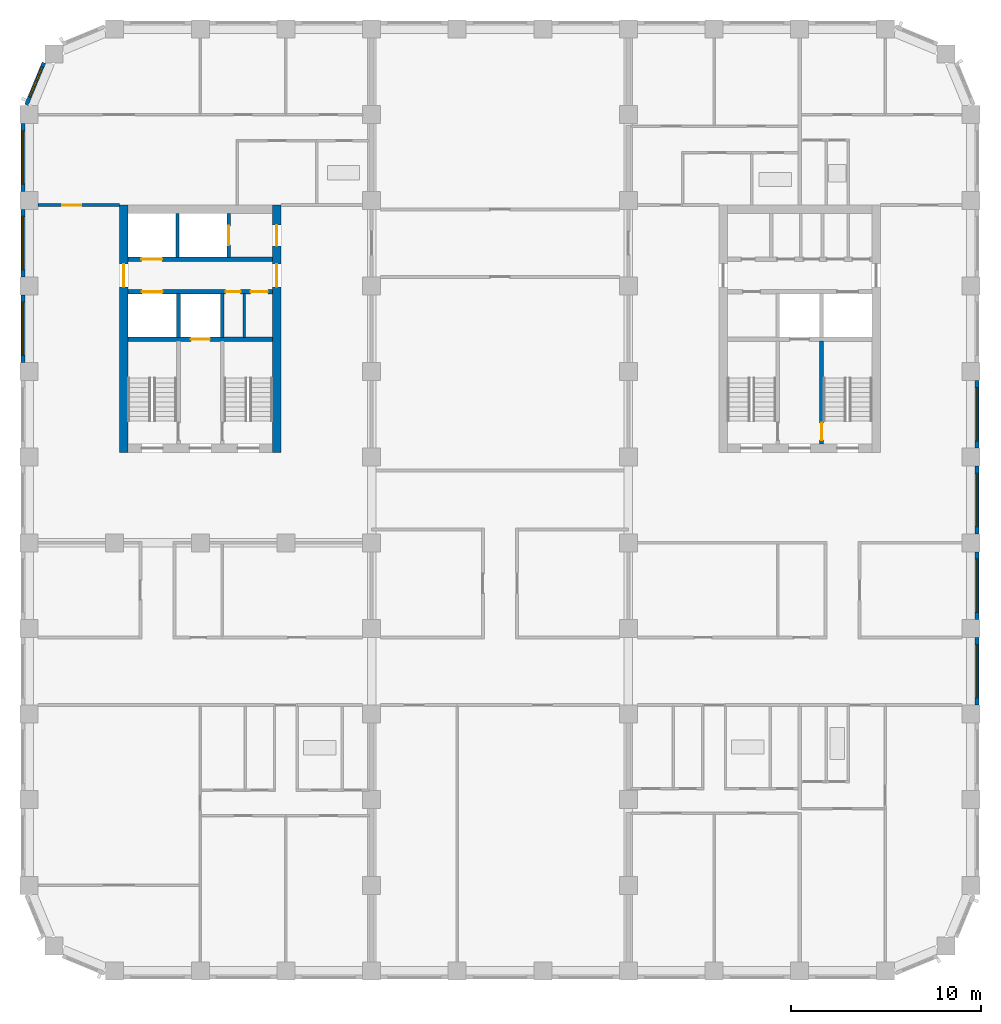
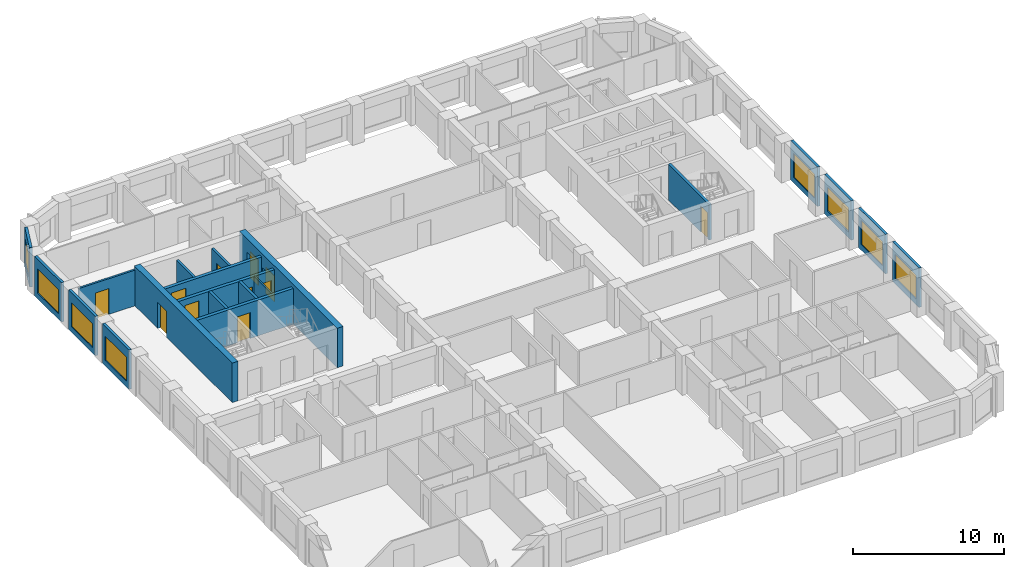
# One storey, part 6 of 12: 20 walls, 11 doors, 8 windows, 19 openings.
"""IFC4 building model written with IfcOpenShell, lengths in metres."""

from ifc_helpers import new_model, si_unit, direction, frame, frame_2d, origin, place, context, subcontext, project, spatial, rectangle, extrude, material, layer, layer_set, type_object, element, fill, save


model = new_model("IFC4")

# Units and contexts
model_context = context("Model", 3, precision=1e-05, world=origin(), true_north=direction((0.0, 1.0)))
body_context = subcontext(model_context, "Body", "Model", "MODEL_VIEW")
ifc_project = project(units=[si_unit("LENGTHUNIT", "METRE"), si_unit("AREAUNIT", "SQUARE_METRE"), si_unit("VOLUMEUNIT", "CUBIC_METRE"), si_unit("PLANEANGLEUNIT", "RADIAN"), si_unit("MASSUNIT", "GRAM", prefix="KILO")], contexts=[model_context])

# Site, building, storey
site_placement = place(None, origin())
site = spatial("IfcSite", under=ifc_project, at=site_placement, CompositionType="ELEMENT")
building_placement = place(site_placement, origin())
building = spatial("IfcBuilding", under=site, at=building_placement, Name="Girih Gate Residences", CompositionType="ELEMENT")
storey_placement = place(building_placement, frame((0.0, 0.0, 139.800048828125)))
storey = spatial("IfcBuildingStorey", under=building, at=storey_placement, Name="L39", CompositionType="ELEMENT", Elevation=139.800048828125)

# Wall, opening, door
ifc_material_1 = material(Name="Gypsum board on steel studs", Category="steel")
ifc_layer_1 = layer(ifc_material_1, 0.14990234375)
ifc_layer_set_1 = layer_set([ifc_layer_1], Name="Compartment wall 150 mm")
wall_type_1 = type_object("IfcWallType", Name="Compartment wall 150 mm", PredefinedType="PARTITIONING", material=ifc_layer_set_1)
wall_1_placement = place(storey_placement, frame((0.47509765625, 40.25, 0.0), z_axis=(0.0, 0.0, 1.0), x_axis=(1.0, 0.0, 0.0)))
wall_1 = element("IfcWall", 1, at=wall_1_placement, inside=storey, type_object=wall_type_1, Name="L39 partition", PredefinedType="PARTITIONING", context=body_context, shape_type="SweptSolid", body=[
    extrude(rectangle(XDim=4.27490234375, YDim=0.14990234375, at=frame_2d((2.137451171875, 0.0))), origin(), (0.0, 0.0, 1.0), 2.89990234375),
])
opening_1_placement = place(wall_1_placement, frame((1.27490234375, 0.0, 0.0)))
opening_1 = element("IfcOpeningElement", 2, at=opening_1_placement, cuts=wall_1, Name="Opening A39-015", PredefinedType="OPENING", context=body_context, shape_type="SweptSolid", body=[
    extrude(rectangle(XDim=1.0, YDim=2.10009765625, at=frame_2d((0.5, 1.050048828125))), frame((0.0, 0.0849609375, 0.0), z_axis=(0.0, -1.0, 0.0), x_axis=(1.0, 0.0, 0.0)), (0.0, 0.0, 1.0), 0.169921875),
])
ifc_material_2 = material(Name="Timber, fire-rated core", Category="wood")
door_type_1 = type_object("IfcDoorType", Name="Flat entrance door 1000x2100 FD30S", OperationType="NOTDEFINED", PredefinedType="DOOR", material=ifc_material_2)
door_1_placement = place(opening_1_placement, origin())
door_1 = element("IfcDoor", 3, at=door_1_placement, inside=storey, type_object=door_type_1, Name="Door A39-015", OperationType="SINGLE_SWING_LEFT", OverallHeight=2.10009765625, OverallWidth=1.0, PredefinedType="DOOR", context=body_context, shape_type="SweptSolid", body=[
    extrude(rectangle(XDim=1.0, YDim=2.10009765625, at=frame_2d((0.5, 1.050048828125))), frame((0.0, 0.02490234375, 0.0), z_axis=(0.0, -1.0, 0.0), x_axis=(1.0, 0.0, 0.0)), (0.0, 0.0, 1.0), 0.050048828125),
])
fill(opening_1, door_1)

ifc_material_3 = material(Name="Concrete C60/75", Category="concrete")
ifc_layer_2 = layer(ifc_material_3, 0.449951171875)
ifc_layer_set_2 = layer_set([ifc_layer_2], Name="Core wall RC 450 Concrete C60/75")
wall_type_2 = type_object("IfcWallType", Name="Core wall RC 450 Concrete C60/75", PredefinedType="SOLIDWALL", material=ifc_layer_set_2)
wall_2_placement = place(storey_placement, frame((4.97509765625, 27.25, 0.0), z_axis=(0.0, 0.0, 1.0), x_axis=(0.0, 1.0, 0.0)))
wall_2 = element("IfcWall", 4, at=wall_2_placement, inside=storey, type_object=wall_type_2, Name="Core wall W-W L39", PredefinedType="SOLIDWALL", context=body_context, shape_type="SweptSolid", body=[
    extrude(rectangle(XDim=13.0, YDim=0.449951171875, at=frame_2d((6.5, 0.0))), origin(), (0.0, 0.0, 1.0), 3.199951171875),
])
opening_2_placement = place(wall_2_placement, frame((8.699951171875, 0.0, 0.0)))
opening_2 = element("IfcOpeningElement", 5, at=opening_2_placement, cuts=wall_2, Name="Opening D-L39-W-013", PredefinedType="OPENING", context=body_context, shape_type="SweptSolid", body=[
    extrude(rectangle(XDim=1.199951171875, YDim=2.10009765625, at=frame_2d((0.60009765625, 1.050048828125))), frame((0.0, 0.23486328125, 0.0), z_axis=(0.0, -1.0, 0.0), x_axis=(1.0, 0.0, 0.0)), (0.0, 0.0, 1.0), 0.469970703125),
])
ifc_material_4 = material(Name="Painted steel, fire-resisting", Category="steel")
door_type_2 = type_object("IfcDoorType", Name="Fire door 1200x2100", OperationType="SINGLE_SWING_LEFT", PredefinedType="DOOR", material=ifc_material_4)
door_2_placement = place(opening_2_placement, origin())
door_2 = element("IfcDoor", 6, at=door_2_placement, inside=storey, type_object=door_type_2, Name="L39 W core door ll-w", OperationType="SINGLE_SWING_LEFT", OverallHeight=2.10009765625, OverallWidth=1.199951171875, PredefinedType="DOOR", context=body_context, shape_type="SweptSolid", body=[
    extrude(rectangle(XDim=1.199951171875, YDim=2.10009765625, at=frame_2d((0.60009765625, 1.050048828125))), frame((0.0, 0.02490234375, 0.0), z_axis=(0.0, -1.0, 0.0), x_axis=(1.0, 0.0, 0.0)), (0.0, 0.0, 1.0), 0.050048828125),
])
fill(opening_2, door_2)

# Wall, openings, doors
wall_3_placement = place(storey_placement, frame((13.02490234375, 27.25, 0.0), z_axis=(0.0, 0.0, 1.0), x_axis=(0.0, 1.0, 0.0)))
wall_3 = element("IfcWall", 7, at=wall_3_placement, inside=storey, type_object=wall_type_2, Name="Core wall W-E L39", PredefinedType="SOLIDWALL", context=body_context, shape_type="SweptSolid", body=[
    extrude(rectangle(XDim=13.0, YDim=0.449951171875, at=frame_2d((6.5, 0.0))), origin(), (0.0, 0.0, 1.0), 3.199951171875),
])
opening_3_placement = place(wall_3_placement, frame((10.85009765625, 0.0, 0.0)))
opening_3 = element("IfcOpeningElement", 8, at=opening_3_placement, cuts=wall_3, Name="Opening D-L39-W-012", PredefinedType="OPENING", context=body_context, shape_type="SweptSolid", body=[
    extrude(rectangle(XDim=1.10009765625, YDim=2.10009765625, at=frame_2d((0.550048828125, 1.050048828125))), frame((0.0, 0.23486328125, 0.0), z_axis=(0.0, -1.0, 0.0), x_axis=(1.0, 0.0, 0.0)), (0.0, 0.0, 1.0), 0.469970703125),
])
opening_4_placement = place(wall_3_placement, frame((8.699951171875, 0.0, 0.0)))
opening_4 = element("IfcOpeningElement", 9, at=opening_4_placement, cuts=wall_3, Name="Opening D-L39-W-014", PredefinedType="OPENING", context=body_context, shape_type="SweptSolid", body=[
    extrude(rectangle(XDim=1.199951171875, YDim=2.10009765625, at=frame_2d((0.60009765625, 1.050048828125))), frame((0.0, 0.23486328125, 0.0), z_axis=(0.0, -1.0, 0.0), x_axis=(1.0, 0.0, 0.0)), (0.0, 0.0, 1.0), 0.469970703125),
])
door_type_3 = type_object("IfcDoorType", Name="Fire door 1100x2100", OperationType="SINGLE_SWING_LEFT", PredefinedType="DOOR", material=ifc_material_4)
door_3_placement = place(opening_3_placement, origin())
door_3 = element("IfcDoor", 10, at=door_3_placement, inside=storey, type_object=door_type_3, Name="L39 W core door ffl2-e", OperationType="SINGLE_SWING_LEFT", OverallHeight=2.10009765625, OverallWidth=1.10009765625, PredefinedType="DOOR", context=body_context, shape_type="SweptSolid", body=[
    extrude(rectangle(XDim=1.10009765625, YDim=2.10009765625, at=frame_2d((0.550048828125, 1.050048828125))), frame((0.0, 0.02490234375, 0.0), z_axis=(0.0, -1.0, 0.0), x_axis=(1.0, 0.0, 0.0)), (0.0, 0.0, 1.0), 0.050048828125),
])
fill(opening_3, door_3)
door_4_placement = place(opening_4_placement, origin())
door_4 = element("IfcDoor", 11, at=door_4_placement, inside=storey, type_object=door_type_2, Name="L39 W core door ll-e", OperationType="SINGLE_SWING_LEFT", OverallHeight=2.10009765625, OverallWidth=1.199951171875, PredefinedType="DOOR", context=body_context, shape_type="SweptSolid", body=[
    extrude(rectangle(XDim=1.199951171875, YDim=2.10009765625, at=frame_2d((0.60009765625, 1.050048828125))), frame((0.0, 0.02490234375, 0.0), z_axis=(0.0, -1.0, 0.0), x_axis=(1.0, 0.0, 0.0)), (0.0, 0.0, 1.0), 0.050048828125),
])
fill(opening_4, door_4)

# Wall, opening, door
ifc_material_5 = material(Name="Concrete C40/50", Category="concrete")
ifc_layer_3 = layer(ifc_material_5, 0.25)
ifc_layer_set_3 = layer_set([ifc_layer_3], Name="Lift shaft wall 250")
wall_type_3 = type_object("IfcWallType", Name="Lift shaft wall 250", PredefinedType="SOLIDWALL", material=ifc_layer_set_3)
wall_4_placement = place(storey_placement, frame((5.199951171875, 33.199951171875, 0.0), z_axis=(0.0, 0.0, 1.0), x_axis=(1.0, 0.0, 0.0)))
wall_4 = element("IfcWall", 12, at=wall_4_placement, inside=storey, type_object=wall_type_3, Name="L39 W core wall H1", PredefinedType="SOLIDWALL", context=body_context, shape_type="SweptSolid", body=[
    extrude(rectangle(XDim=7.60009765625, YDim=0.25, at=frame_2d((3.800048828125, 0.0))), origin(), (0.0, 0.0, 1.0), 2.89990234375),
])
opening_5_placement = place(wall_4_placement, frame((3.300048828125, 0.0, 0.0)))
opening_5 = element("IfcOpeningElement", 13, at=opening_5_placement, cuts=wall_4, Name="Opening D-L39-W-006", PredefinedType="OPENING", context=body_context, shape_type="SweptSolid", body=[
    extrude(rectangle(XDim=1.0, YDim=2.10009765625, at=frame_2d((0.5, 1.050048828125))), frame((0.0, 0.135009765625, 0.0), z_axis=(0.0, -1.0, 0.0), x_axis=(1.0, 0.0, 0.0)), (0.0, 0.0, 1.0), 0.27001953125),
])
ifc_material_6 = material(Name="Stainless steel, fire-resisting", Category="steel")
door_type_4 = type_object("IfcDoorType", Name="Firefighting lift landing door 1000x2100", OperationType="SLIDING_TO_LEFT", PredefinedType="DOOR", material=ifc_material_6)
door_5_placement = place(opening_5_placement, origin())
door_5 = element("IfcDoor", 14, at=door_5_placement, inside=storey, type_object=door_type_4, Name="L39 lift FF-W landing door", OperationType="SLIDING_TO_LEFT", OverallHeight=2.10009765625, OverallWidth=1.0, PredefinedType="DOOR", context=body_context, shape_type="SweptSolid", body=[
    extrude(rectangle(XDim=1.0, YDim=2.10009765625, at=frame_2d((0.5, 1.050048828125))), frame((0.0, 0.02490234375, 0.0), z_axis=(0.0, -1.0, 0.0), x_axis=(1.0, 0.0, 0.0)), (0.0, 0.0, 1.0), 0.050048828125),
])
fill(opening_5, door_5)

# Wall, openings, doors
wall_5_placement = place(storey_placement, frame((5.199951171875, 35.699951171875, 0.0), z_axis=(0.0, 0.0, 1.0), x_axis=(1.0, 0.0, 0.0)))
wall_5 = element("IfcWall", 15, at=wall_5_placement, inside=storey, type_object=wall_type_3, Name="L39 W core wall H2", PredefinedType="SOLIDWALL", context=body_context, shape_type="SweptSolid", body=[
    extrude(rectangle(XDim=7.60009765625, YDim=0.25, at=frame_2d((3.800048828125, 0.0))), origin(), (0.0, 0.0, 1.0), 2.89990234375),
])
opening_6_placement = place(wall_5_placement, frame((0.72509765625, 0.0, 0.0)))
opening_6 = element("IfcOpeningElement", 16, at=opening_6_placement, cuts=wall_5, Name="Opening D-L39-W-005", PredefinedType="OPENING", context=body_context, shape_type="SweptSolid", body=[
    extrude(rectangle(XDim=1.10009765625, YDim=2.39990234375, at=frame_2d((0.550048828125, 1.199951171875))), frame((0.0, 0.135009765625, 0.0), z_axis=(0.0, -1.0, 0.0), x_axis=(1.0, 0.0, 0.0)), (0.0, 0.0, 1.0), 0.27001953125),
])
opening_7_placement = place(wall_5_placement, frame((5.125, 0.0, 0.0)))
opening_7 = element("IfcOpeningElement", 17, at=opening_7_placement, cuts=wall_5, Name="Opening D-L39-W-007", PredefinedType="OPENING", context=body_context, shape_type="SweptSolid", body=[
    extrude(rectangle(XDim=0.800048828125, YDim=2.10009765625, at=frame_2d((0.39990234375, 1.050048828125))), frame((0.0, 0.135009765625, 0.0), z_axis=(0.0, -1.0, 0.0), x_axis=(1.0, 0.0, 0.0)), (0.0, 0.0, 1.0), 0.27001953125),
])
opening_8_placement = place(wall_5_placement, frame((6.449951171875, 0.0, 0.0)))
opening_8 = element("IfcOpeningElement", 18, at=opening_8_placement, cuts=wall_5, Name="Opening D-L39-W-008", PredefinedType="OPENING", context=body_context, shape_type="SweptSolid", body=[
    extrude(rectangle(XDim=0.89990234375, YDim=2.10009765625, at=frame_2d((0.449951171875, 1.050048828125))), frame((0.0, 0.135009765625, 0.0), z_axis=(0.0, -1.0, 0.0), x_axis=(1.0, 0.0, 0.0)), (0.0, 0.0, 1.0), 0.27001953125),
])
door_type_5 = type_object("IfcDoorType", Name="Fire door 800x2100", OperationType="SINGLE_SWING_LEFT", PredefinedType="DOOR", material=ifc_material_4)
door_6_placement = place(opening_7_placement, origin())
door_6 = element("IfcDoor", 19, at=door_6_placement, inside=storey, type_object=door_type_5, Name="L39 W comms room door", OperationType="SINGLE_SWING_LEFT", OverallHeight=2.10009765625, OverallWidth=0.800048828125, PredefinedType="DOOR", context=body_context, shape_type="SweptSolid", body=[
    extrude(rectangle(XDim=0.800048828125, YDim=2.10009765625, at=frame_2d((0.39990234375, 1.050048828125))), frame((0.0, 0.02490234375, 0.0), z_axis=(0.0, -1.0, 0.0), x_axis=(1.0, 0.0, 0.0)), (0.0, 0.0, 1.0), 0.050048828125),
])
fill(opening_7, door_6)
door_type_6 = type_object("IfcDoorType", Name="Fire door 900x2100", OperationType="SINGLE_SWING_LEFT", PredefinedType="DOOR", material=ifc_material_4)
door_7_placement = place(opening_8_placement, origin())
door_7 = element("IfcDoor", 20, at=door_7_placement, inside=storey, type_object=door_type_6, Name="L39 W linen store door", OperationType="SINGLE_SWING_LEFT", OverallHeight=2.10009765625, OverallWidth=0.89990234375, PredefinedType="DOOR", context=body_context, shape_type="SweptSolid", body=[
    extrude(rectangle(XDim=0.89990234375, YDim=2.10009765625, at=frame_2d((0.449951171875, 1.050048828125))), frame((0.0, 0.02490234375, 0.0), z_axis=(0.0, -1.0, 0.0), x_axis=(1.0, 0.0, 0.0)), (0.0, 0.0, 1.0), 0.050048828125),
])
fill(opening_8, door_7)
ifc_material_7 = material(Name="Stainless steel", Category="steel")
door_type_7 = type_object("IfcDoorType", Name="Lift landing door 1100x2400", OperationType="SLIDING_TO_LEFT", PredefinedType="DOOR", material=ifc_material_7)
door_8_placement = place(opening_6_placement, origin())
door_8 = element("IfcDoor", 21, at=door_8_placement, inside=storey, type_object=door_type_7, Name="L39 lift HR-W1 landing door", OperationType="SLIDING_TO_LEFT", OverallHeight=2.39990234375, OverallWidth=1.10009765625, PredefinedType="DOOR", context=body_context, shape_type="SweptSolid", body=[
    extrude(rectangle(XDim=1.10009765625, YDim=2.39990234375, at=frame_2d((0.550048828125, 1.199951171875))), frame((0.0, 0.02490234375, 0.0), z_axis=(0.0, -1.0, 0.0), x_axis=(1.0, 0.0, 0.0)), (0.0, 0.0, 1.0), 0.050048828125),
])
fill(opening_6, door_8)

# Wall, opening, door
wall_6_placement = place(storey_placement, frame((5.199951171875, 37.39990234375, 0.0), z_axis=(0.0, 0.0, 1.0), x_axis=(1.0, 0.0, 0.0)))
wall_6 = element("IfcWall", 22, at=wall_6_placement, inside=storey, type_object=wall_type_3, Name="L39 W core wall H3", PredefinedType="SOLIDWALL", context=body_context, shape_type="SweptSolid", body=[
    extrude(rectangle(XDim=7.60009765625, YDim=0.25, at=frame_2d((3.800048828125, 0.0))), origin(), (0.0, 0.0, 1.0), 2.89990234375),
])
opening_9_placement = place(wall_6_placement, frame((0.699951171875, 0.0, 0.0)))
opening_9 = element("IfcOpeningElement", 23, at=opening_9_placement, cuts=wall_6, Name="Opening D-L39-W-003", PredefinedType="OPENING", context=body_context, shape_type="SweptSolid", body=[
    extrude(rectangle(XDim=1.10009765625, YDim=2.39990234375, at=frame_2d((0.550048828125, 1.199951171875))), frame((0.0, 0.135009765625, 0.0), z_axis=(0.0, -1.0, 0.0), x_axis=(1.0, 0.0, 0.0)), (0.0, 0.0, 1.0), 0.27001953125),
])
door_9_placement = place(opening_9_placement, origin())
door_9 = element("IfcDoor", 24, at=door_9_placement, inside=storey, type_object=door_type_7, Name="L39 lift LR-W1 landing door", OperationType="SLIDING_TO_LEFT", OverallHeight=2.39990234375, OverallWidth=1.10009765625, PredefinedType="DOOR", context=body_context, shape_type="SweptSolid", body=[
    extrude(rectangle(XDim=1.10009765625, YDim=2.39990234375, at=frame_2d((0.550048828125, 1.199951171875))), frame((0.0, 0.02490234375, 0.0), z_axis=(0.0, -1.0, 0.0), x_axis=(1.0, 0.0, 0.0)), (0.0, 0.0, 1.0), 0.050048828125),
])
fill(opening_9, door_9)

# Wall, opening, window
ifc_material_8 = material(Name="Precast concrete C50/60", Category="concrete")
ifc_layer_4 = layer(ifc_material_8, 0.06005859375, Name="Outer leaf")
ifc_material_9 = material(Name="Rigid PIR insulation")
ifc_layer_5 = layer(ifc_material_9, 0.090087890625, Name="Insulation")
ifc_material_10 = material(Name="Precast concrete C40/50", Category="concrete")
ifc_layer_6 = layer(ifc_material_10, 0.050048828125, Name="Inner leaf")
ifc_layer_set_4 = layer_set([ifc_layer_4, ifc_layer_5, ifc_layer_6], Name="Precast concrete C50/60 external wall 200")
wall_type_4 = type_object("IfcWallType", Name="Precast concrete C50/60 external wall 200", PredefinedType="SOLIDWALL", material=ifc_layer_set_4)
wall_7_placement = place(storey_placement, frame((49.824951171875, 17.52490234375, 0.0), z_axis=(0.0, 0.0, 1.0), x_axis=(0.0, -1.0, 0.0)))
wall_7 = element("IfcWall", 25, at=wall_7_placement, inside=storey, type_object=wall_type_4, Name="External wall E0495_0045.2", PredefinedType="SOLIDWALL", context=body_context, shape_type="SweptSolid", body=[
    extrude(rectangle(XDim=3.5498046875, YDim=0.199951171875, at=frame_2d((1.77490234375, 0.0))), origin(), (0.0, 0.0, 1.0), 3.199951171875),
])
opening_10_placement = place(wall_7_placement, frame((0.375, 0.0, 0.449951171875)))
opening_10 = element("IfcOpeningElement", 26, at=opening_10_placement, cuts=wall_7, Name="Opening W-1B", PredefinedType="OPENING", context=body_context, shape_type="SweptSolid", body=[
    extrude(rectangle(XDim=2.800048828125, YDim=1.949951171875, at=frame_2d((1.39990234375, 0.97509765625))), frame((0.0, 0.10986328125, 0.0), z_axis=(0.0, -1.0, 0.0), x_axis=(1.0, 0.0, 0.0)), (0.0, 0.0, 1.0), 0.219970703125),
])
ifc_material_11 = material(Name="Double glazing in aluminium frame", Category="aluminium")
window_type_1 = type_object("IfcWindowType", Name="Window W-1B 2800x1950", PartitioningType="SINGLE_PANEL", PredefinedType="WINDOW", material=ifc_material_11)
window_1_placement = place(opening_10_placement, origin())
window_1 = element("IfcWindow", 27, at=window_1_placement, inside=storey, type_object=window_type_1, Name="Window W-1B E0495_0045.2", OverallHeight=1.949951171875, OverallWidth=2.800048828125, PartitioningType="SINGLE_PANEL", PredefinedType="WINDOW", context=body_context, shape_type="SweptSolid", body=[
    extrude(rectangle(XDim=2.800048828125, YDim=1.949951171875, at=frame_2d((1.39990234375, 0.97509765625))), frame((0.0, 0.030029296875, 0.0), z_axis=(0.0, -1.0, 0.0), x_axis=(1.0, 0.0, 0.0)), (0.0, 0.0, 1.0), 0.06005859375),
])
fill(opening_10, window_1)

wall_8_placement = place(storey_placement, frame((49.824951171875, 22.02490234375, 0.0), z_axis=(0.0, 0.0, 1.0), x_axis=(0.0, -1.0, 0.0)))
wall_8 = element("IfcWall", 28, at=wall_8_placement, inside=storey, type_object=wall_type_4, Name="External wall E0495_0045.3", PredefinedType="SOLIDWALL", context=body_context, shape_type="SweptSolid", body=[
    extrude(rectangle(XDim=3.5498046875, YDim=0.199951171875, at=frame_2d((1.77490234375, 0.0))), origin(), (0.0, 0.0, 1.0), 3.199951171875),
])
opening_11_placement = place(wall_8_placement, frame((0.375, 0.0, 0.449951171875)))
opening_11 = element("IfcOpeningElement", 29, at=opening_11_placement, cuts=wall_8, Name="Opening W-1B", PredefinedType="OPENING", context=body_context, shape_type="SweptSolid", body=[
    extrude(rectangle(XDim=2.800048828125, YDim=1.949951171875, at=frame_2d((1.39990234375, 0.97509765625))), frame((0.0, 0.10986328125, 0.0), z_axis=(0.0, -1.0, 0.0), x_axis=(1.0, 0.0, 0.0)), (0.0, 0.0, 1.0), 0.219970703125),
])
window_2_placement = place(opening_11_placement, origin())
window_2 = element("IfcWindow", 30, at=window_2_placement, inside=storey, type_object=window_type_1, Name="Window W-1B E0495_0045.3", OverallHeight=1.949951171875, OverallWidth=2.800048828125, PartitioningType="SINGLE_PANEL", PredefinedType="WINDOW", context=body_context, shape_type="SweptSolid", body=[
    extrude(rectangle(XDim=2.800048828125, YDim=1.949951171875, at=frame_2d((1.39990234375, 0.97509765625))), frame((0.0, 0.030029296875, 0.0), z_axis=(0.0, -1.0, 0.0), x_axis=(1.0, 0.0, 0.0)), (0.0, 0.0, 1.0), 0.06005859375),
])
fill(opening_11, window_2)

wall_9_placement = place(storey_placement, frame((49.824951171875, 26.52490234375, 0.0), z_axis=(0.0, 0.0, 1.0), x_axis=(0.0, -1.0, 0.0)))
wall_9 = element("IfcWall", 31, at=wall_9_placement, inside=storey, type_object=wall_type_4, Name="External wall E0495_0045.4", PredefinedType="SOLIDWALL", context=body_context, shape_type="SweptSolid", body=[
    extrude(rectangle(XDim=3.5498046875, YDim=0.199951171875, at=frame_2d((1.77490234375, 0.0))), origin(), (0.0, 0.0, 1.0), 3.199951171875),
])
opening_12_placement = place(wall_9_placement, frame((0.375, 0.0, 0.449951171875)))
opening_12 = element("IfcOpeningElement", 32, at=opening_12_placement, cuts=wall_9, Name="Opening W-1B", PredefinedType="OPENING", context=body_context, shape_type="SweptSolid", body=[
    extrude(rectangle(XDim=2.800048828125, YDim=1.949951171875, at=frame_2d((1.39990234375, 0.97509765625))), frame((0.0, 0.10986328125, 0.0), z_axis=(0.0, -1.0, 0.0), x_axis=(1.0, 0.0, 0.0)), (0.0, 0.0, 1.0), 0.219970703125),
])
window_3_placement = place(opening_12_placement, origin())
window_3 = element("IfcWindow", 33, at=window_3_placement, inside=storey, type_object=window_type_1, Name="Window W-1B E0495_0045.4", OverallHeight=1.949951171875, OverallWidth=2.800048828125, PartitioningType="SINGLE_PANEL", PredefinedType="WINDOW", context=body_context, shape_type="SweptSolid", body=[
    extrude(rectangle(XDim=2.800048828125, YDim=1.949951171875, at=frame_2d((1.39990234375, 0.97509765625))), frame((0.0, 0.030029296875, 0.0), z_axis=(0.0, -1.0, 0.0), x_axis=(1.0, 0.0, 0.0)), (0.0, 0.0, 1.0), 0.06005859375),
])
fill(opening_12, window_3)

wall_10_placement = place(storey_placement, frame((49.824951171875, 31.02490234375, 0.0), z_axis=(0.0, 0.0, 1.0), x_axis=(0.0, -1.0, 0.0)))
wall_10 = element("IfcWall", 34, at=wall_10_placement, inside=storey, type_object=wall_type_4, Name="External wall E0495_0045.5", PredefinedType="SOLIDWALL", context=body_context, shape_type="SweptSolid", body=[
    extrude(rectangle(XDim=3.5498046875, YDim=0.199951171875, at=frame_2d((1.77490234375, 0.0))), origin(), (0.0, 0.0, 1.0), 3.199951171875),
])
opening_13_placement = place(wall_10_placement, frame((0.375, 0.0, 0.449951171875)))
opening_13 = element("IfcOpeningElement", 35, at=opening_13_placement, cuts=wall_10, Name="Opening W-1B", PredefinedType="OPENING", context=body_context, shape_type="SweptSolid", body=[
    extrude(rectangle(XDim=2.800048828125, YDim=1.949951171875, at=frame_2d((1.39990234375, 0.97509765625))), frame((0.0, 0.10986328125, 0.0), z_axis=(0.0, -1.0, 0.0), x_axis=(1.0, 0.0, 0.0)), (0.0, 0.0, 1.0), 0.219970703125),
])
window_4_placement = place(opening_13_placement, origin())
window_4 = element("IfcWindow", 36, at=window_4_placement, inside=storey, type_object=window_type_1, Name="Window W-1B E0495_0045.5", OverallHeight=1.949951171875, OverallWidth=2.800048828125, PartitioningType="SINGLE_PANEL", PredefinedType="WINDOW", context=body_context, shape_type="SweptSolid", body=[
    extrude(rectangle(XDim=2.800048828125, YDim=1.949951171875, at=frame_2d((1.39990234375, 0.97509765625))), frame((0.0, 0.030029296875, 0.0), z_axis=(0.0, -1.0, 0.0), x_axis=(1.0, 0.0, 0.0)), (0.0, 0.0, 1.0), 0.06005859375),
])
fill(opening_13, window_4)

wall_11_placement = place(storey_placement, frame((-0.13916015625, 45.51318359375, 0.0), z_axis=(0.0, 0.0, 1.0), x_axis=(0.382680855588, 0.923880599843, 0.0)))
wall_11 = element("IfcWall", 37, at=wall_11_placement, inside=storey, type_object=wall_type_4, Name="External wall NW0013_0482.0", PredefinedType="SOLIDWALL", context=body_context, shape_type="SweptSolid", body=[
    extrude(rectangle(XDim=2.402587890625, YDim=0.199951171875, at=frame_2d((1.201171875, 0.0))), origin(), (0.0, 0.0, 1.0), 3.199951171875),
])
opening_14_placement = place(wall_11_placement, frame((0.451171875, 0.0, 0.449951171875)))
opening_14 = element("IfcOpeningElement", 38, at=opening_14_placement, cuts=wall_11, Name="Opening W-2E", PredefinedType="OPENING", context=body_context, shape_type="SweptSolid", body=[
    extrude(rectangle(XDim=1.699951171875, YDim=1.949951171875, at=frame_2d((0.85009765625, 0.97509765625))), frame((0.0, 0.10986328125, 0.0), z_axis=(0.0, -1.0, 0.0), x_axis=(1.0, 0.0, 0.0)), (0.0, 0.0, 1.0), 0.219970703125),
])
window_type_2 = type_object("IfcWindowType", Name="Window W-2E 1700x1950", PartitioningType="SINGLE_PANEL", PredefinedType="WINDOW", material=ifc_material_11)
window_5_placement = place(opening_14_placement, origin())
window_5 = element("IfcWindow", 39, at=window_5_placement, inside=storey, type_object=window_type_2, Name="Window W-2E NW0013_0482.0", OverallHeight=1.949951171875, OverallWidth=1.699951171875, PartitioningType="SINGLE_PANEL", PredefinedType="WINDOW", context=body_context, shape_type="SweptSolid", body=[
    extrude(rectangle(XDim=1.699951171875, YDim=1.949951171875, at=frame_2d((0.85009765625, 0.97509765625))), frame((0.0, 0.030029296875, 0.0), z_axis=(0.0, -1.0, 0.0), x_axis=(1.0, 0.0, 0.0)), (0.0, 0.0, 1.0), 0.06005859375),
])
fill(opening_14, window_5)

wall_12_placement = place(storey_placement, frame((-0.324951171875, 40.97509765625, 0.0), z_axis=(0.0, 0.0, 1.0), x_axis=(0.0, 1.0, 0.0)))
wall_12 = element("IfcWall", 40, at=wall_12_placement, inside=storey, type_object=wall_type_4, Name="External wall W0000_0450.0", PredefinedType="SOLIDWALL", context=body_context, shape_type="SweptSolid", body=[
    extrude(rectangle(XDim=3.5498046875, YDim=0.199951171875, at=frame_2d((1.77490234375, 0.0))), origin(), (0.0, 0.0, 1.0), 3.199951171875),
])
opening_15_placement = place(wall_12_placement, frame((0.375, 0.0, 0.449951171875)))
opening_15 = element("IfcOpeningElement", 41, at=opening_15_placement, cuts=wall_12, Name="Opening W-1B", PredefinedType="OPENING", context=body_context, shape_type="SweptSolid", body=[
    extrude(rectangle(XDim=2.800048828125, YDim=1.949951171875, at=frame_2d((1.39990234375, 0.97509765625))), frame((0.0, 0.10986328125, 0.0), z_axis=(0.0, -1.0, 0.0), x_axis=(1.0, 0.0, 0.0)), (0.0, 0.0, 1.0), 0.219970703125),
])
window_6_placement = place(opening_15_placement, origin())
window_6 = element("IfcWindow", 42, at=window_6_placement, inside=storey, type_object=window_type_1, Name="Window W-1B W0000_0450.0", OverallHeight=1.949951171875, OverallWidth=2.800048828125, PartitioningType="SINGLE_PANEL", PredefinedType="WINDOW", context=body_context, shape_type="SweptSolid", body=[
    extrude(rectangle(XDim=2.800048828125, YDim=1.949951171875, at=frame_2d((1.39990234375, 0.97509765625))), frame((0.0, 0.030029296875, 0.0), z_axis=(0.0, -1.0, 0.0), x_axis=(1.0, 0.0, 0.0)), (0.0, 0.0, 1.0), 0.06005859375),
])
fill(opening_15, window_6)

wall_13_placement = place(storey_placement, frame((-0.324951171875, 36.47509765625, 0.0), z_axis=(0.0, 0.0, 1.0), x_axis=(0.0, 1.0, 0.0)))
wall_13 = element("IfcWall", 43, at=wall_13_placement, inside=storey, type_object=wall_type_4, Name="External wall W0000_0450.1", PredefinedType="SOLIDWALL", context=body_context, shape_type="SweptSolid", body=[
    extrude(rectangle(XDim=3.5498046875, YDim=0.199951171875, at=frame_2d((1.77490234375, 0.0))), origin(), (0.0, 0.0, 1.0), 3.199951171875),
])
opening_16_placement = place(wall_13_placement, frame((0.375, 0.0, 0.449951171875)))
opening_16 = element("IfcOpeningElement", 44, at=opening_16_placement, cuts=wall_13, Name="Opening W-1B", PredefinedType="OPENING", context=body_context, shape_type="SweptSolid", body=[
    extrude(rectangle(XDim=2.800048828125, YDim=1.949951171875, at=frame_2d((1.39990234375, 0.97509765625))), frame((0.0, 0.10986328125, 0.0), z_axis=(0.0, -1.0, 0.0), x_axis=(1.0, 0.0, 0.0)), (0.0, 0.0, 1.0), 0.219970703125),
])
window_7_placement = place(opening_16_placement, origin())
window_7 = element("IfcWindow", 45, at=window_7_placement, inside=storey, type_object=window_type_1, Name="Window W-1B W0000_0450.1", OverallHeight=1.949951171875, OverallWidth=2.800048828125, PartitioningType="SINGLE_PANEL", PredefinedType="WINDOW", context=body_context, shape_type="SweptSolid", body=[
    extrude(rectangle(XDim=2.800048828125, YDim=1.949951171875, at=frame_2d((1.39990234375, 0.97509765625))), frame((0.0, 0.030029296875, 0.0), z_axis=(0.0, -1.0, 0.0), x_axis=(1.0, 0.0, 0.0)), (0.0, 0.0, 1.0), 0.06005859375),
])
fill(opening_16, window_7)

wall_14_placement = place(storey_placement, frame((-0.324951171875, 31.97509765625, 0.0), z_axis=(0.0, 0.0, 1.0), x_axis=(0.0, 1.0, 0.0)))
wall_14 = element("IfcWall", 46, at=wall_14_placement, inside=storey, type_object=wall_type_4, Name="External wall W0000_0450.2", PredefinedType="SOLIDWALL", context=body_context, shape_type="SweptSolid", body=[
    extrude(rectangle(XDim=3.5498046875, YDim=0.199951171875, at=frame_2d((1.77490234375, 0.0))), origin(), (0.0, 0.0, 1.0), 3.199951171875),
])
opening_17_placement = place(wall_14_placement, frame((0.375, 0.0, 0.449951171875)))
opening_17 = element("IfcOpeningElement", 47, at=opening_17_placement, cuts=wall_14, Name="Opening W-1B", PredefinedType="OPENING", context=body_context, shape_type="SweptSolid", body=[
    extrude(rectangle(XDim=2.800048828125, YDim=1.949951171875, at=frame_2d((1.39990234375, 0.97509765625))), frame((0.0, 0.10986328125, 0.0), z_axis=(0.0, -1.0, 0.0), x_axis=(1.0, 0.0, 0.0)), (0.0, 0.0, 1.0), 0.219970703125),
])
window_8_placement = place(opening_17_placement, origin())
window_8 = element("IfcWindow", 48, at=window_8_placement, inside=storey, type_object=window_type_1, Name="Window W-1B W0000_0450.2", OverallHeight=1.949951171875, OverallWidth=2.800048828125, PartitioningType="SINGLE_PANEL", PredefinedType="WINDOW", context=body_context, shape_type="SweptSolid", body=[
    extrude(rectangle(XDim=2.800048828125, YDim=1.949951171875, at=frame_2d((1.39990234375, 0.97509765625))), frame((0.0, 0.030029296875, 0.0), z_axis=(0.0, -1.0, 0.0), x_axis=(1.0, 0.0, 0.0)), (0.0, 0.0, 1.0), 0.06005859375),
])
fill(opening_17, window_8)

# Wall
ifc_layer_7 = layer(ifc_material_5, 0.175048828125)
ifc_layer_set_5 = layer_set([ifc_layer_7], Name="Riser shaft wall 175")
wall_type_5 = type_object("IfcWallType", Name="Riser shaft wall 175", PredefinedType="SOLIDWALL", material=ifc_layer_set_5)
wall_15_placement = place(storey_placement, frame((7.800048828125, 37.5, 0.0), z_axis=(0.0, 0.0, 1.0), x_axis=(0.0, 1.0, 0.0)))
element("IfcWall", 49, at=wall_15_placement, inside=storey, type_object=wall_type_5, Name="L39 W core wall V1c", PredefinedType="SOLIDWALL", context=body_context, shape_type="SweptSolid", body=[
    extrude(rectangle(XDim=2.300048828125, YDim=0.175048828125, at=frame_2d((1.14990234375, 0.0))), origin(), (0.0, 0.0, 1.0), 2.89990234375),
])

# Wall, opening, door
wall_16_placement = place(storey_placement, frame((10.5, 37.5, 0.0), z_axis=(0.0, 0.0, 1.0), x_axis=(0.0, 1.0, 0.0)))
wall_16 = element("IfcWall", 50, at=wall_16_placement, inside=storey, type_object=wall_type_5, Name="L39 W core wall V2c", PredefinedType="SOLIDWALL", context=body_context, shape_type="SweptSolid", body=[
    extrude(rectangle(XDim=2.300048828125, YDim=0.175048828125, at=frame_2d((1.14990234375, 0.0))), origin(), (0.0, 0.0, 1.0), 2.89990234375),
])
opening_18_placement = place(wall_16_placement, frame((0.64990234375, 0.0, 0.0)))
opening_18 = element("IfcOpeningElement", 51, at=opening_18_placement, cuts=wall_16, Name="Opening D-L39-W-004", PredefinedType="OPENING", context=body_context, shape_type="SweptSolid", body=[
    extrude(rectangle(XDim=1.0, YDim=2.10009765625, at=frame_2d((0.5, 1.050048828125))), frame((0.0, 0.097412109375, 0.0), z_axis=(0.0, -1.0, 0.0), x_axis=(1.0, 0.0, 0.0)), (0.0, 0.0, 1.0), 0.195068359375),
])
door_10_placement = place(opening_18_placement, origin())
door_10 = element("IfcDoor", 52, at=door_10_placement, inside=storey, type_object=door_type_4, Name="L39 lift FF-W2 landing door", OperationType="SLIDING_TO_LEFT", OverallHeight=2.10009765625, OverallWidth=1.0, PredefinedType="DOOR", context=body_context, shape_type="SweptSolid", body=[
    extrude(rectangle(XDim=1.0, YDim=2.10009765625, at=frame_2d((0.5, 1.050048828125))), frame((0.0, 0.02490234375, 0.0), z_axis=(0.0, -1.0, 0.0), x_axis=(1.0, 0.0, 0.0)), (0.0, 0.0, 1.0), 0.050048828125),
])
fill(opening_18, door_10)

# Walls
ifc_layer_8 = layer(ifc_material_5, 0.199951171875)
ifc_layer_set_6 = layer_set([ifc_layer_8], Name="Shaft wall 200")
wall_type_6 = type_object("IfcWallType", Name="Shaft wall 200", PredefinedType="SOLIDWALL", material=ifc_layer_set_6)
for number, where, z_axis, x_axis, name in (
    (53, (7.85009765625, 33.300048828125, 0.0), (0.0, 0.0, 1.0), (0.0, 1.0, 0.0), "L39 W core wall V1b"),
    (54, (10.14990234375, 33.300048828125, 0.0), (0.0, 0.0, 1.0), (0.0, 1.0, 0.0), "L39 W core wall V2b"),
):
    element("IfcWall", number, at=place(storey_placement, frame(where, z_axis=z_axis, x_axis=x_axis)), inside=storey, type_object=wall_type_6, Name=name, PredefinedType="SOLIDWALL", context=body_context, shape_type="SweptSolid", body=[
        extrude(rectangle(XDim=2.300048828125, YDim=0.199951171875, at=frame_2d((1.14990234375, 0.0))), origin(), (0.0, 0.0, 1.0), 2.89990234375),
    ])

# Wall, opening, door
wall_17_placement = place(storey_placement, frame((41.64990234375, 27.699951171875, 0.0), z_axis=(0.0, 0.0, 1.0), x_axis=(0.0, 1.0, 0.0)))
wall_17 = element("IfcWall", 55, at=wall_17_placement, inside=storey, type_object=wall_type_6, Name="L39 E core wall V1a", PredefinedType="SOLIDWALL", context=body_context, shape_type="SweptSolid", body=[
    extrude(rectangle(XDim=5.400146484375, YDim=0.199951171875, at=frame_2d((2.7001953125, 0.0))), origin(), (0.0, 0.0, 1.0), 2.89990234375),
])
opening_19_placement = place(wall_17_placement, frame((0.199951171875, 0.0, 0.0)))
opening_19 = element("IfcOpeningElement", 56, at=opening_19_placement, cuts=wall_17, Name="Opening D-L39-E-001", PredefinedType="OPENING", context=body_context, shape_type="SweptSolid", body=[
    extrude(rectangle(XDim=0.89990234375, YDim=2.10009765625, at=frame_2d((0.449951171875, 1.050048828125))), frame((0.0, 0.10986328125, 0.0), z_axis=(0.0, -1.0, 0.0), x_axis=(1.0, 0.0, 0.0)), (0.0, 0.0, 1.0), 0.219970703125),
])
door_11_placement = place(opening_19_placement, origin())
door_11 = element("IfcDoor", 57, at=door_11_placement, inside=storey, type_object=door_type_6, Name="L39 E door stair 1 to firefighting lobby", OperationType="SINGLE_SWING_LEFT", OverallHeight=2.10009765625, OverallWidth=0.89990234375, PredefinedType="DOOR", context=body_context, shape_type="SweptSolid", body=[
    extrude(rectangle(XDim=0.89990234375, YDim=2.10009765625, at=frame_2d((0.449951171875, 1.050048828125))), frame((0.0, 0.02490234375, 0.0), z_axis=(0.0, -1.0, 0.0), x_axis=(1.0, 0.0, 0.0)), (0.0, 0.0, 1.0), 0.050048828125),
])
fill(opening_19, door_11)

# Wall
ifc_material_12 = material(Name="Calcium silicate blockwork", Category="masonry")
ifc_layer_9 = layer(ifc_material_12, 0.125)
ifc_layer_set_7 = layer_set([ifc_layer_9], Name="Store partition 125")
wall_type_7 = type_object("IfcWallType", Name="Store partition 125", PredefinedType="PARTITIONING", material=ifc_layer_set_7)
wall_18_placement = place(storey_placement, frame((11.300048828125, 33.300048828125, 0.0), z_axis=(0.0, 0.0, 1.0), x_axis=(0.0, 1.0, 0.0)))
element("IfcWall", 58, at=wall_18_placement, inside=storey, type_object=wall_type_7, Name="L39 W core wall SHR2", PredefinedType="PARTITIONING", context=body_context, shape_type="SweptSolid", body=[
    extrude(rectangle(XDim=2.300048828125, YDim=0.125, at=frame_2d((1.14990234375, 0.0))), origin(), (0.0, 0.0, 1.0), 2.89990234375),
])

save(model, "model.ifc")
